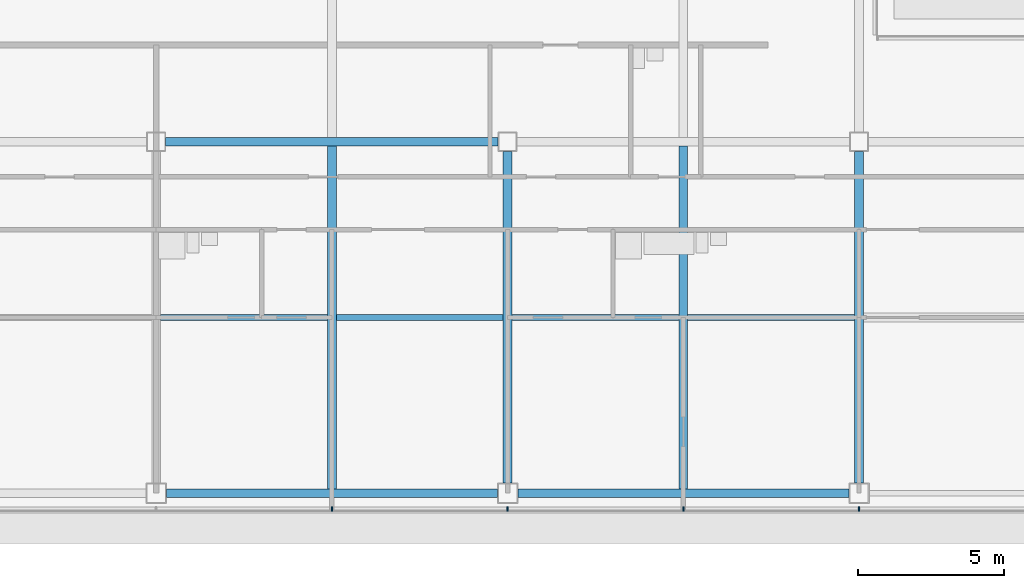
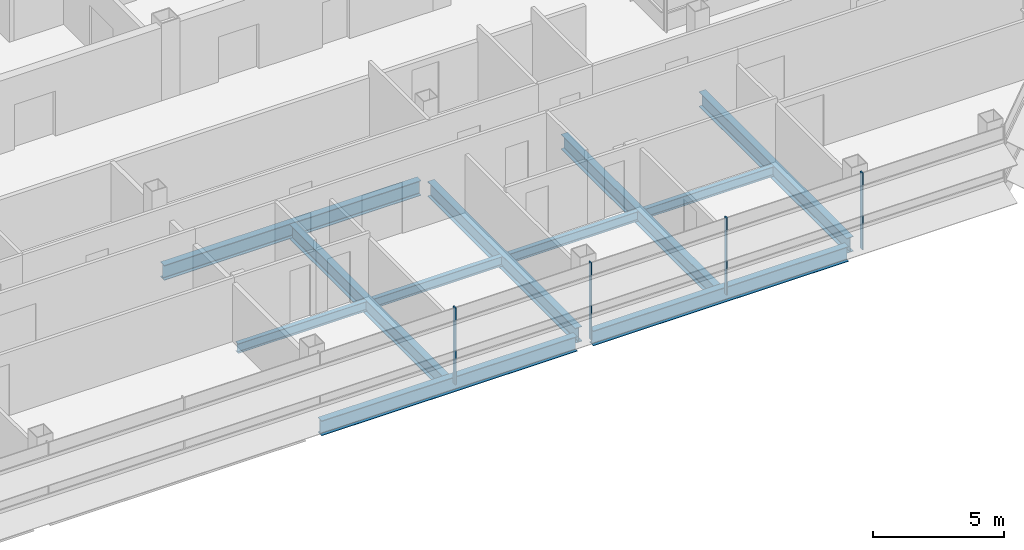
# One storey, part 8 of 27: 11 beams, 4 members, 1 element without a shape of its own.
"""IFC4 building model written with IfcOpenShell, lengths in metres."""

from ifc_helpers import new_model, si_unit, direction, frame, origin, origin_2d, place, context, subcontext, project, spatial, rectangle, i_section, extrude, material, material_profile, profile_set, type_object, element, aggregate, save


model = new_model("IFC4")

# Units and contexts
model_context = context("Model", 3, precision=1e-05, world=origin(), true_north=direction((0.0, 1.0)))
body_context = subcontext(model_context, "Body", "Model", "MODEL_VIEW")
ifc_project = project(units=[si_unit("LENGTHUNIT", "METRE"), si_unit("AREAUNIT", "SQUARE_METRE"), si_unit("VOLUMEUNIT", "CUBIC_METRE"), si_unit("PLANEANGLEUNIT", "RADIAN"), si_unit("MASSUNIT", "GRAM", prefix="KILO")], contexts=[model_context])

# Site, building, storey
site_placement = place(None, origin())
site = spatial("IfcSite", under=ifc_project, at=site_placement, CompositionType="ELEMENT")
building_placement = place(site_placement, origin())
building = spatial("IfcBuilding", under=site, at=building_placement, Name="Sorahane Residences", CompositionType="ELEMENT")
storey_placement = place(building_placement, frame((0.0, 0.0, 167.199951171875)))
storey = spatial("IfcBuildingStorey", under=building, at=storey_placement, Name="L38", CompositionType="ELEMENT", Elevation=167.199951171875)

# Curtain wall, members
ifc_material_1 = material(Name="Dark low-e glass and black anodised aluminium", Category="aluminium")
curtain_wall_type = type_object("IfcCurtainWallType", Name="Curtain wall CW-1 Typical unitised wall", PredefinedType="NOTDEFINED", material=ifc_material_1)
curtain_wall_placement = place(storey_placement, origin())
curtain_wall = element("IfcCurtainWall", 1, at=curtain_wall_placement, inside=storey, type_object=curtain_wall_type, Name="CW-1 curtain wall L38 S2", PredefinedType="NOTDEFINED")
ifc_material_2 = material(Name="Black anodised aluminium", Category="aluminium")
ifc_material_profile_1 = material_profile(ifc_material_2, rectangle(XDim=0.159912109375, YDim=0.050048828125, at=origin_2d()), Name="Curtain wall mullion CW-1 black anodised aluminium 50x160")
ifc_profile_set_1 = profile_set([ifc_material_profile_1], Name="Black anodised aluminium")
member_type = type_object("IfcMemberType", Name="Curtain wall mullion CW-1 black anodised aluminium 50x160", PredefinedType="MULLION", material=ifc_profile_set_1)
member_1_placement = place(storey_placement, frame((30.0, -0.5400390625, -0.179931640625), z_axis=(0.0, 0.0, 1.0), x_axis=(0.0, -1.0, 0.0)))
member_1 = element("IfcMember", 2, at=member_1_placement, type_object=member_type, Name="CW-1 mullion L38 S2.6", PredefinedType="MULLION", context=body_context, shape_type="SweptSolid", body=[
    extrude(rectangle(XDim=0.159912109375, YDim=0.050048828125, at=origin_2d()), origin(), (0.0, 0.0, 1.0), 3.60009765625),
])
member_2_placement = place(storey_placement, frame((36.0, -0.5400390625, -0.179931640625), z_axis=(0.0, 0.0, 1.0), x_axis=(0.0, -1.0, 0.0)))
member_2 = element("IfcMember", 3, at=member_2_placement, type_object=member_type, Name="CW-1 mullion L38 S2.7", PredefinedType="MULLION", context=body_context, shape_type="SweptSolid", body=[
    extrude(rectangle(XDim=0.159912109375, YDim=0.050048828125, at=origin_2d()), origin(), (0.0, 0.0, 1.0), 3.60009765625),
])
member_3_placement = place(storey_placement, frame((42.0, -0.5400390625, -0.179931640625), z_axis=(0.0, 0.0, 1.0), x_axis=(0.0, -1.0, 0.0)))
member_3 = element("IfcMember", 4, at=member_3_placement, type_object=member_type, Name="CW-1 mullion L38 S2.8", PredefinedType="MULLION", context=body_context, shape_type="SweptSolid", body=[
    extrude(rectangle(XDim=0.159912109375, YDim=0.050048828125, at=origin_2d()), origin(), (0.0, 0.0, 1.0), 3.60009765625),
])
member_4_placement = place(storey_placement, frame((48.0, -0.5400390625, -0.179931640625), z_axis=(0.0, 0.0, 1.0), x_axis=(0.0, -1.0, 0.0)))
member_4 = element("IfcMember", 5, at=member_4_placement, type_object=member_type, Name="CW-1 mullion L38 S2.9", PredefinedType="MULLION", context=body_context, shape_type="SweptSolid", body=[
    extrude(rectangle(XDim=0.159912109375, YDim=0.050048828125, at=origin_2d()), origin(), (0.0, 0.0, 1.0), 3.60009765625),
])
aggregate(curtain_wall, [member_1, member_2, member_3, member_4])

# Beams
ifc_material_3 = material(Name="Steel Q355B", Category="steel")
ifc_material_profile_2 = material_profile(ifc_material_3, i_section(OverallWidth=0.199951171875, OverallDepth=0.449951171875, WebThickness=0.009033203125, FlangeThickness=0.013916015625, FilletRadius=0.02001953125, at=origin_2d()), Name="HN 450x200x9x14")
ifc_profile_set_2 = profile_set([ifc_material_profile_2], Name="Steel Q355B")
beam_type_1 = type_object("IfcBeamType", Name="Steel floor beam HN 450x200x9x14 Q355B", PredefinedType="BEAM", material=ifc_profile_set_2)
for number, where, z_axis, x_axis, name in (
    (6, (24.14990234375, 6.0, -0.405029296875), (1.0, 0.0, 0.0), (0.0, 1.0, 0.0), "Beam L38 071"),
    (7, (30.14990234375, 6.0, -0.405029296875), (1.0, 0.0, 0.0), (0.0, 1.0, 0.0), "Beam L38 072"),
    (8, (36.14990234375, 6.0, -0.405029296875), (1.0, 0.0, 0.0), (0.0, 1.0, 0.0), "Beam L38 073"),
    (9, (42.14990234375, 6.0, -0.405029296875), (1.0, 0.0, 0.0), (0.0, 1.0, 0.0), "Beam L38 074"),
):
    element("IfcBeam", number, at=place(storey_placement, frame(where, z_axis=z_axis, x_axis=x_axis)), inside=storey, type_object=beam_type_1, Name=name, PredefinedType="BEAM", context=body_context, shape_type="SweptSolid", body=[
        extrude(i_section(OverallWidth=0.199951171875, OverallDepth=0.449951171875, WebThickness=0.009033203125, FlangeThickness=0.013916015625, FilletRadius=0.02001953125, at=origin_2d()), origin(), (0.0, 0.0, 1.0), 5.7001953125),
    ])
ifc_material_4 = material(Name="Steel Q355B", Category="steel")
ifc_material_profile_3 = material_profile(ifc_material_4, i_section(OverallWidth=0.300048828125, OverallDepth=0.699951171875, WebThickness=0.012939453125, FlangeThickness=0.02392578125, FilletRadius=0.028076171875, at=origin_2d()), Name="HN 700x300x13x24")
ifc_profile_set_3 = profile_set([ifc_material_profile_3], Name="Steel Q355B")
beam_type_2 = type_object("IfcBeamType", Name="Steel floor beam HN 700x300x13x24 Q355B", PredefinedType="BEAM", material=ifc_profile_set_3)
for number, where, z_axis, x_axis, name in (
    (10, (24.35009765625, 0.0, -0.530029296875), (1.0, 0.0, 0.0), (0.0, 1.0, 0.0), "Beam L38 002"),
    (11, (36.35009765625, 0.0, -0.530029296875), (1.0, 0.0, 0.0), (0.0, 1.0, 0.0), "Beam L38 003"),
):
    element("IfcBeam", number, at=place(storey_placement, frame(where, z_axis=z_axis, x_axis=x_axis)), inside=storey, type_object=beam_type_2, Name=name, PredefinedType="BEAM", context=body_context, shape_type="SweptSolid", body=[
        extrude(i_section(OverallWidth=0.300048828125, OverallDepth=0.699951171875, WebThickness=0.012939453125, FlangeThickness=0.02392578125, FilletRadius=0.028076171875, at=origin_2d()), origin(), (0.0, 0.0, 1.0), 11.2998046875),
    ])
beam_1_placement = place(storey_placement, frame((24.324951171875, 12.0, -0.530029296875), z_axis=(1.0, 0.0, 0.0), x_axis=(0.0, 1.0, 0.0)))
element("IfcBeam", 12, at=beam_1_placement, inside=storey, type_object=beam_type_2, Name="Beam L38 008", PredefinedType="BEAM", context=body_context, shape_type="SweptSolid", body=[
    extrude(i_section(OverallWidth=0.300048828125, OverallDepth=0.699951171875, WebThickness=0.012939453125, FlangeThickness=0.02392578125, FilletRadius=0.028076171875, at=origin_2d()), origin(), (0.0, 0.0, 1.0), 11.35009765625),
])
beam_2_placement = place(storey_placement, frame((30.0, 0.14990234375, -0.530029296875), z_axis=(0.0, 1.0, 0.0), x_axis=(-1.0, 0.0, 0.0)))
element("IfcBeam", 13, at=beam_2_placement, inside=storey, type_object=beam_type_2, Name="Beam L38 044", PredefinedType="BEAM", context=body_context, shape_type="SweptSolid", body=[
    extrude(i_section(OverallWidth=0.300048828125, OverallDepth=0.699951171875, WebThickness=0.012939453125, FlangeThickness=0.02392578125, FilletRadius=0.028076171875, at=origin_2d()), origin(), (0.0, 0.0, 1.0), 11.7001953125),
])
beam_3_placement = place(storey_placement, frame((36.0, 0.35009765625, -0.530029296875), z_axis=(0.0, 1.0, 0.0), x_axis=(-1.0, 0.0, 0.0)))
element("IfcBeam", 14, at=beam_3_placement, inside=storey, type_object=beam_type_2, Name="Beam L38 050", PredefinedType="BEAM", context=body_context, shape_type="SweptSolid", body=[
    extrude(i_section(OverallWidth=0.300048828125, OverallDepth=0.699951171875, WebThickness=0.012939453125, FlangeThickness=0.02392578125, FilletRadius=0.028076171875, at=origin_2d()), origin(), (0.0, 0.0, 1.0), 11.324951171875),
])
beam_4_placement = place(storey_placement, frame((42.0, 0.14990234375, -0.530029296875), z_axis=(0.0, 1.0, 0.0), x_axis=(-1.0, 0.0, 0.0)))
element("IfcBeam", 15, at=beam_4_placement, inside=storey, type_object=beam_type_2, Name="Beam L38 052", PredefinedType="BEAM", context=body_context, shape_type="SweptSolid", body=[
    extrude(i_section(OverallWidth=0.300048828125, OverallDepth=0.699951171875, WebThickness=0.012939453125, FlangeThickness=0.02392578125, FilletRadius=0.028076171875, at=origin_2d()), origin(), (0.0, 0.0, 1.0), 11.7001953125),
])
beam_5_placement = place(storey_placement, frame((48.0, 0.35009765625, -0.530029296875), z_axis=(0.0, 1.0, 0.0), x_axis=(-1.0, 0.0, 0.0)))
element("IfcBeam", 16, at=beam_5_placement, inside=storey, type_object=beam_type_2, Name="Beam L38 058", PredefinedType="BEAM", context=body_context, shape_type="SweptSolid", body=[
    extrude(i_section(OverallWidth=0.300048828125, OverallDepth=0.699951171875, WebThickness=0.012939453125, FlangeThickness=0.02392578125, FilletRadius=0.028076171875, at=origin_2d()), origin(), (0.0, 0.0, 1.0), 11.324951171875),
])

save(model, "model.ifc")
